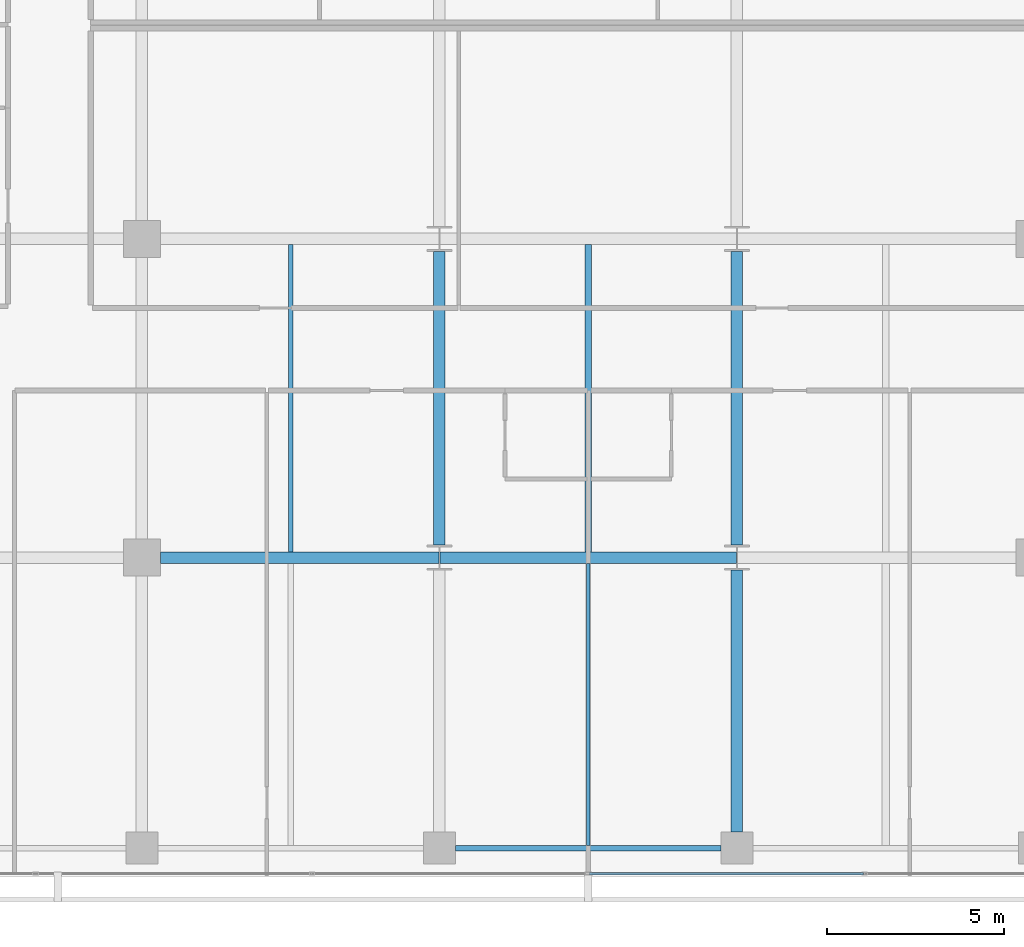
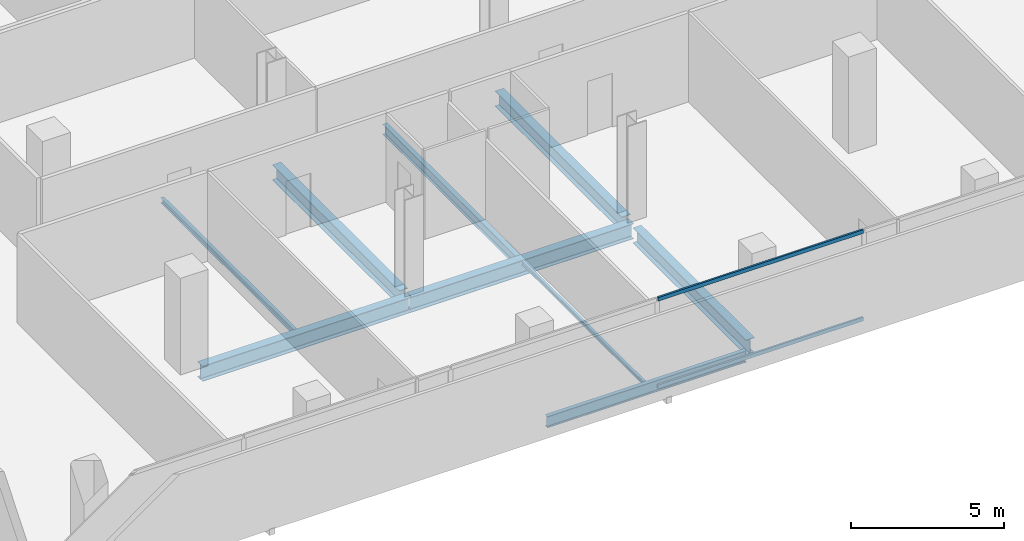
# One storey, part 9 of 39: 9 beams, 2 members, 1 element without a shape of its own.
"""IFC4 building model written with IfcOpenShell, lengths in metres."""

from ifc_helpers import new_model, si_unit, direction, frame, origin, origin_2d, place, context, subcontext, project, spatial, hollow_rectangle, i_section, extrude, material, layer, layer_set, material_profile, profile_set, type_object, element, aggregate, save


model = new_model("IFC4")

# Units and contexts
model_context = context("Model", 3, precision=1e-05, world=origin(), true_north=direction((0.0, 1.0)))
body_context = subcontext(model_context, "Body", "Model", "MODEL_VIEW")
ifc_project = project(units=[si_unit("LENGTHUNIT", "METRE"), si_unit("AREAUNIT", "SQUARE_METRE"), si_unit("VOLUMEUNIT", "CUBIC_METRE"), si_unit("PLANEANGLEUNIT", "RADIAN"), si_unit("MASSUNIT", "GRAM", prefix="KILO")], contexts=[model_context])

# Site, building, storey
site_placement = place(None, origin())
site = spatial("IfcSite", under=ifc_project, at=site_placement, CompositionType="ELEMENT")
building_placement = place(site_placement, origin())
building = spatial("IfcBuilding", under=site, at=building_placement, Name="Maruvema Waterfront Hotel and Observation Tower", CompositionType="ELEMENT")
storey_placement = place(building_placement, frame((0.0, 0.0, 111.64990234375)))
storey = spatial("IfcBuildingStorey", under=building, at=storey_placement, Name="L27", CompositionType="ELEMENT", Elevation=111.64990234375)

# Curtain wall, members
ifc_material_1 = material(Name="Anodised bronze aluminium and solar-control low-E IGU", Category="aluminium")
ifc_layer = layer(ifc_material_1, 0.159912109375, Name="Zone 1 Bronze Inner Thermal Curtain Wall System CW-02")
ifc_layer_set = layer_set([ifc_layer], Name="Anodised bronze aluminium and solar-control low-E IGU")
curtain_wall_type = type_object("IfcCurtainWallType", Name="Zone 1 Bronze Inner Thermal Curtain Wall System CW-02", PredefinedType="USERDEFINED", material=ifc_layer_set)
curtain_wall_placement = place(storey_placement, origin())
curtain_wall = element("IfcCurtainWall", 1, at=curtain_wall_placement, inside=storey, type_object=curtain_wall_type, Name="L27 Curtain Wall CW-L27-S", ObjectType="UNITISED CURTAIN WALL", PredefinedType="USERDEFINED")
ifc_material_2 = material(Name="Anodised architectural bronze aluminium", Category="aluminium")
ifc_material_profile_1 = material_profile(ifc_material_2, hollow_rectangle(XDim=0.070068359375, YDim=0.14990234375, WallThickness=0.00390625, at=origin_2d()), Name="ALU-T70x150")
ifc_profile_set_1 = profile_set([ifc_material_profile_1], Name="Anodised architectural bronze aluminium")
member_type = type_object("IfcMemberType", Name="Curtain Wall Horizontal Transom ALU-T70x150", PredefinedType="USERDEFINED", material=ifc_profile_set_1)
member_1_placement = place(storey_placement, frame((37.830078125, 0.080078125, 0.030029296875), z_axis=(1.0, 0.0, 0.0), x_axis=(0.0, 1.0, 0.0)))
member_1 = element("IfcMember", 2, at=member_1_placement, type_object=member_type, Name="CW-02 transom 4.1", ObjectType="TRANSOM", PredefinedType="USERDEFINED", context=body_context, shape_type="SweptSolid", body=[
    extrude(hollow_rectangle(XDim=0.070068359375, YDim=0.14990234375, WallThickness=0.00390625, at=origin_2d()), origin(), (0.0, 0.0, 1.0), 7.739990234375),
])
member_2_placement = place(storey_placement, frame((37.830078125, 0.080078125, 3.52001953125), z_axis=(1.0, 0.0, 0.0), x_axis=(0.0, 1.0, 0.0)))
member_2 = element("IfcMember", 3, at=member_2_placement, type_object=member_type, Name="CW-02 transom 4.2", ObjectType="TRANSOM", PredefinedType="USERDEFINED", context=body_context, shape_type="SweptSolid", body=[
    extrude(hollow_rectangle(XDim=0.070068359375, YDim=0.14990234375, WallThickness=0.00390625, at=origin_2d()), origin(), (0.0, 0.0, 1.0), 7.739990234375),
])
aggregate(curtain_wall, [member_1, member_2])

# Beams
ifc_material_3 = material(Name="Steel ASTM A572 Grade 50", Category="steel")
ifc_material_profile_2 = material_profile(ifc_material_3, i_section(OverallWidth=0.153076171875, OverallDepth=0.455078125, WebThickness=0.008056640625, FlangeThickness=0.01318359375, FilletRadius=0.014892578125, at=origin_2d()), Name="W460x60.0")
ifc_profile_set_2 = profile_set([ifc_material_profile_2], Name="Steel ASTM A572 Grade 50")
beam_type_1 = type_object("IfcBeamType", Name="Perimeter Spandrel Beam W460x60.0", PredefinedType="SPANDREL", material=ifc_profile_set_2)
beam_1_placement = place(storey_placement, frame((34.050048828125, 0.800048828125, -0.46728515625), z_axis=(1.0, 0.0, 0.0), x_axis=(0.0, 1.0, 0.0)))
element("IfcBeam", 4, at=beam_1_placement, inside=storey, type_object=beam_type_1, Name="L27 Floor Girder EW-03", PredefinedType="SPANDREL", context=body_context, shape_type="SweptSolid", body=[
    extrude(i_section(OverallWidth=0.153076171875, OverallDepth=0.455078125, WebThickness=0.008056640625, FlangeThickness=0.01318359375, FilletRadius=0.014892578125, at=origin_2d()), origin(), (0.0, 0.0, 1.0), 7.5),
])
ifc_material_4 = material(Name="Steel ASTM A572 Grade 50", Category="steel")
ifc_material_profile_3 = material_profile(ifc_material_4, i_section(OverallWidth=0.323974609375, OverallDepth=0.611083984375, WebThickness=0.0126953125, FlangeThickness=0.01904296875, FilletRadius=0.01806640625, at=origin_2d()), Name="W610x155.0")
ifc_profile_set_3 = profile_set([ifc_material_profile_3], Name="Steel ASTM A572 Grade 50")
beam_type_2 = type_object("IfcBeamType", Name="Primary Floor Girder W610x155.0", PredefinedType="BEAM", material=ifc_profile_set_3)
beam_2_placement = place(storey_placement, frame((25.72509765625, 9.0, -0.54541015625), z_axis=(1.0, 0.0, 0.0), x_axis=(0.0, 1.0, 0.0)))
element("IfcBeam", 5, at=beam_2_placement, inside=storey, type_object=beam_type_2, Name="L27 Floor Girder EW-08", PredefinedType="BEAM", context=body_context, shape_type="SweptSolid", body=[
    extrude(i_section(OverallWidth=0.323974609375, OverallDepth=0.611083984375, WebThickness=0.0126953125, FlangeThickness=0.01904296875, FilletRadius=0.01806640625, at=origin_2d()), origin(), (0.0, 0.0, 1.0), 7.86083984375),
])
beam_3_placement = place(storey_placement, frame((33.614013671875, 9.0, -0.54541015625), z_axis=(1.0, 0.0, 0.0), x_axis=(0.0, 1.0, 0.0)))
element("IfcBeam", 6, at=beam_3_placement, inside=storey, type_object=beam_type_2, Name="L27 Floor Girder EW-09", PredefinedType="BEAM", context=body_context, shape_type="SweptSolid", body=[
    extrude(i_section(OverallWidth=0.323974609375, OverallDepth=0.611083984375, WebThickness=0.0126953125, FlangeThickness=0.01904296875, FilletRadius=0.01806640625, at=origin_2d()), origin(), (0.0, 0.0, 1.0), 8.3720703125),
])
beam_4_placement = place(storey_placement, frame((33.60009765625, 9.35009765625, -0.54541015625), z_axis=(0.0, 1.0, 0.0), x_axis=(-1.0, 0.0, 0.0)))
element("IfcBeam", 7, at=beam_4_placement, inside=storey, type_object=beam_type_2, Name="L27 Floor Girder NS-17", PredefinedType="BEAM", context=body_context, shape_type="SweptSolid", body=[
    extrude(i_section(OverallWidth=0.323974609375, OverallDepth=0.611083984375, WebThickness=0.0126953125, FlangeThickness=0.01904296875, FilletRadius=0.01806640625, at=origin_2d()), origin(), (0.0, 0.0, 1.0), 8.2998046875),
])
beam_5_placement = place(storey_placement, frame((42.0, 1.25, -0.54541015625), z_axis=(0.0, 1.0, 0.0), x_axis=(-1.0, 0.0, 0.0)))
element("IfcBeam", 8, at=beam_5_placement, inside=storey, type_object=beam_type_2, Name="L27 Floor Girder NS-19", PredefinedType="BEAM", context=body_context, shape_type="SweptSolid", body=[
    extrude(i_section(OverallWidth=0.323974609375, OverallDepth=0.611083984375, WebThickness=0.0126953125, FlangeThickness=0.01904296875, FilletRadius=0.01806640625, at=origin_2d()), origin(), (0.0, 0.0, 1.0), 7.39990234375),
])
beam_6_placement = place(storey_placement, frame((42.0, 9.35009765625, -0.54541015625), z_axis=(0.0, 1.0, 0.0), x_axis=(-1.0, 0.0, 0.0)))
element("IfcBeam", 9, at=beam_6_placement, inside=storey, type_object=beam_type_2, Name="L27 Floor Girder NS-20", PredefinedType="BEAM", context=body_context, shape_type="SweptSolid", body=[
    extrude(i_section(OverallWidth=0.323974609375, OverallDepth=0.611083984375, WebThickness=0.0126953125, FlangeThickness=0.01904296875, FilletRadius=0.01806640625, at=origin_2d()), origin(), (0.0, 0.0, 1.0), 8.2998046875),
])
ifc_material_5 = material(Name="Steel ASTM A572 Grade 50", Category="steel")
ifc_material_profile_4 = material_profile(ifc_material_5, i_section(OverallWidth=0.10009765625, OverallDepth=0.153076171875, WebThickness=0.005859375, FlangeThickness=0.007080078125, FilletRadius=0.008056640625, at=origin_2d()), Name="W150x18.0")
ifc_profile_set_4 = profile_set([ifc_material_profile_4], Name="Steel ASTM A572 Grade 50")
beam_type_3 = type_object("IfcBeamType", Name="Secondary Floor Joist W150x18.0", PredefinedType="JOIST", material=ifc_profile_set_4)
beam_7_placement = place(storey_placement, frame((37.800048828125, 0.87646484375, -0.31640625), z_axis=(0.0, 1.0, 0.0), x_axis=(-1.0, 0.0, 0.0)))
element("IfcBeam", 10, at=beam_7_placement, inside=storey, type_object=beam_type_3, Name="L27 Secondary Floor Joist JS-12", PredefinedType="JOIST", context=body_context, shape_type="SweptSolid", body=[
    extrude(i_section(OverallWidth=0.10009765625, OverallDepth=0.153076171875, WebThickness=0.005859375, FlangeThickness=0.007080078125, FilletRadius=0.008056640625, at=origin_2d()), origin(), (0.0, 0.0, 1.0), 7.96142578125),
])
ifc_material_6 = material(Name="Steel ASTM A572 Grade 50", Category="steel")
ifc_material_profile_5 = material_profile(ifc_material_6, i_section(OverallWidth=0.133056640625, OverallDepth=0.20703125, WebThickness=0.005859375, FlangeThickness=0.00830078125, FilletRadius=0.010009765625, at=origin_2d()), Name="W200x26.6")
ifc_profile_set_5 = profile_set([ifc_material_profile_5], Name="Steel ASTM A572 Grade 50")
beam_type_4 = type_object("IfcBeamType", Name="Secondary Floor Joist W200x26.6", PredefinedType="JOIST", material=ifc_profile_set_5)
beam_8_placement = place(storey_placement, frame((29.39990234375, 9.162109375, -0.343505859375), z_axis=(0.0, 1.0, 0.0), x_axis=(-1.0, 0.0, 0.0)))
element("IfcBeam", 11, at=beam_8_placement, inside=storey, type_object=beam_type_4, Name="L27 Secondary Floor Joist JS-11", PredefinedType="JOIST", context=body_context, shape_type="SweptSolid", body=[
    extrude(i_section(OverallWidth=0.133056640625, OverallDepth=0.20703125, WebThickness=0.005859375, FlangeThickness=0.00830078125, FilletRadius=0.010009765625, at=origin_2d()), origin(), (0.0, 0.0, 1.0), 8.67578125),
])
ifc_material_7 = material(Name="Steel ASTM A572 Grade 50", Category="steel")
ifc_material_profile_6 = material_profile(ifc_material_7, i_section(OverallWidth=0.177001953125, OverallDepth=0.403076171875, WebThickness=0.007568359375, FlangeThickness=0.010986328125, FilletRadius=0.014892578125, at=origin_2d()), Name="W410x53.0")
ifc_profile_set_6 = profile_set([ifc_material_profile_6], Name="Steel ASTM A572 Grade 50")
beam_type_5 = type_object("IfcBeamType", Name="Secondary Floor Joist W410x53.0", PredefinedType="JOIST", material=ifc_profile_set_6)
beam_9_placement = place(storey_placement, frame((37.800048828125, 9.162109375, -0.44140625), z_axis=(0.0, 1.0, 0.0), x_axis=(-1.0, 0.0, 0.0)))
element("IfcBeam", 12, at=beam_9_placement, inside=storey, type_object=beam_type_5, Name="L27 Secondary Floor Joist JS-13", PredefinedType="JOIST", context=body_context, shape_type="SweptSolid", body=[
    extrude(i_section(OverallWidth=0.177001953125, OverallDepth=0.403076171875, WebThickness=0.007568359375, FlangeThickness=0.010986328125, FilletRadius=0.014892578125, at=origin_2d()), origin(), (0.0, 0.0, 1.0), 8.67578125),
])

save(model, "model.ifc")
